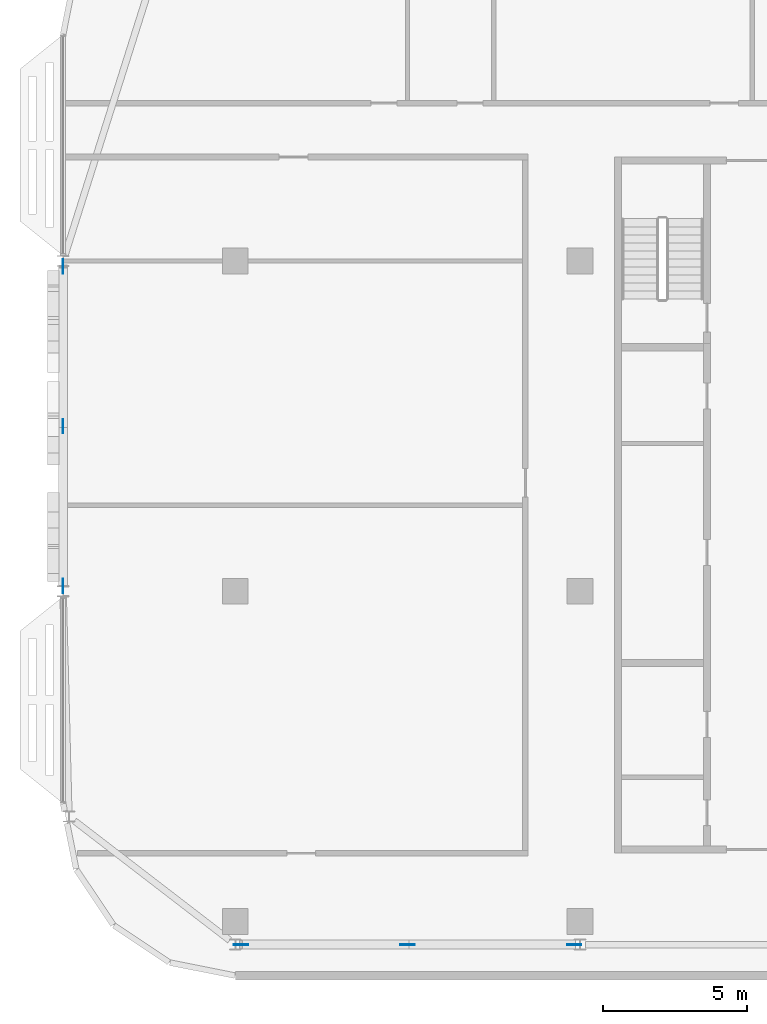
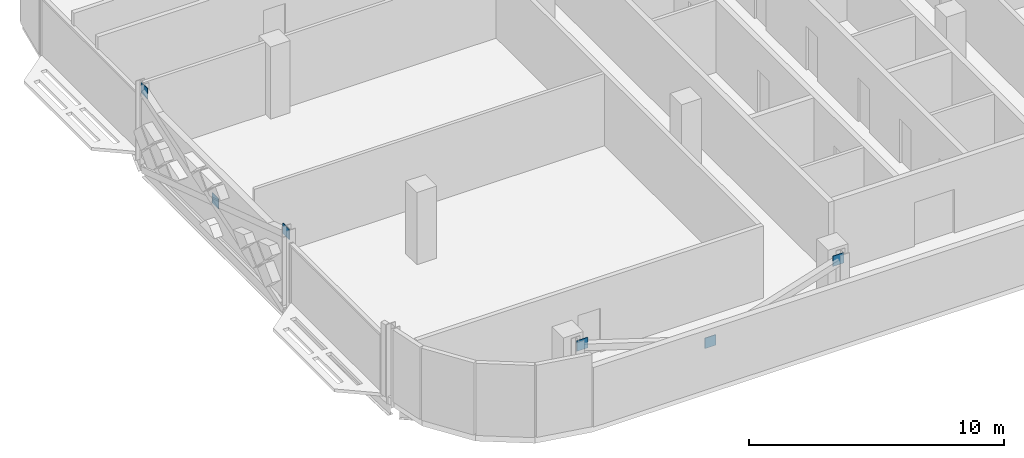
# One storey, part 20 of 28: 6 discrete accessories.
"""IFC4 building model written with IfcOpenShell, lengths in metres."""

from ifc_helpers import new_model, si_unit, direction, frame, origin, origin_2d, place, context, subcontext, project, spatial, rectangle, extrude, material, layer, layer_set, type_object, element, save


model = new_model("IFC4")

# Units and contexts
model_context = context("Model", 3, precision=1e-05, world=origin(), true_north=direction((0.0, 1.0)))
body_context = subcontext(model_context, "Body", "Model", "MODEL_VIEW")
ifc_project = project(units=[si_unit("LENGTHUNIT", "METRE"), si_unit("AREAUNIT", "SQUARE_METRE"), si_unit("VOLUMEUNIT", "CUBIC_METRE"), si_unit("PLANEANGLEUNIT", "RADIAN"), si_unit("MASSUNIT", "GRAM", prefix="KILO")], contexts=[model_context])

# Site, building, storey
site_placement = place(None, origin())
site = spatial("IfcSite", under=ifc_project, at=site_placement, CompositionType="ELEMENT")
building_placement = place(site_placement, origin())
building = spatial("IfcBuilding", under=site, at=building_placement, Name="Mahtab Terrace Research Tower", CompositionType="ELEMENT")
storey_placement = place(building_placement, frame((0.0, 0.0, 270.89990234375)))
storey = spatial("IfcBuildingStorey", under=building, at=storey_placement, Name="L66", CompositionType="ELEMENT", Elevation=270.89990234375)

# Discrete accessories
ifc_material = material(Name="Steel ASTM A992 Gr 50", Category="steel")
ifc_layer = layer(ifc_material, 0.030029296875)
ifc_layer_set = layer_set([ifc_layer], Name="Gusset plate 500x500x30")
discrete_accessory_type = type_object("IfcDiscreteAccessoryType", Name="Gusset plate 500x500x30", PredefinedType="USERDEFINED", material=ifc_layer_set)
for number, where, z_axis, x_axis, name in (
    (1, (-41.80322265625, -12.306884765625, 2.906494140625), (0.0, 0.0, 1.0), (1.0, 0.0, 0.0), "Gusset plate"),
    (2, (-36.0, -12.306884765625, 1.006591796875), (0.0, 0.0, 1.0), (1.0, 0.0, 0.0), "Gusset plate"),
    (3, (-30.197021484375, -12.306884765625, 2.906494140625), (0.0, 0.0, 1.0), (1.0, 0.0, 0.0), "Gusset plate"),
    (4, (-48.0, 0.18798828125, 2.906494140625), (0.0, 0.0, 1.0), (0.0, 1.0, 0.0), "Gusset plate"),
    (5, (-48.0, 5.75, 1.006591796875), (0.0, 0.0, 1.0), (0.0, 1.0, 0.0), "Gusset plate"),
    (6, (-48.0, 11.31201171875, 2.906494140625), (0.0, 0.0, 1.0), (0.0, 1.0, 0.0), "Gusset plate"),
):
    element("IfcDiscreteAccessory", number, at=place(storey_placement, frame(where, z_axis=z_axis, x_axis=x_axis)), inside=storey, type_object=discrete_accessory_type, Name=name, ObjectType="GUSSET PLATE", PredefinedType="USERDEFINED", context=body_context, shape_type="SweptSolid", body=[
        extrude(rectangle(XDim=0.5, YDim=0.030029296875, at=origin_2d()), origin(), (0.0, 0.0, 1.0), 0.5),
    ])

save(model, "model.ifc")
